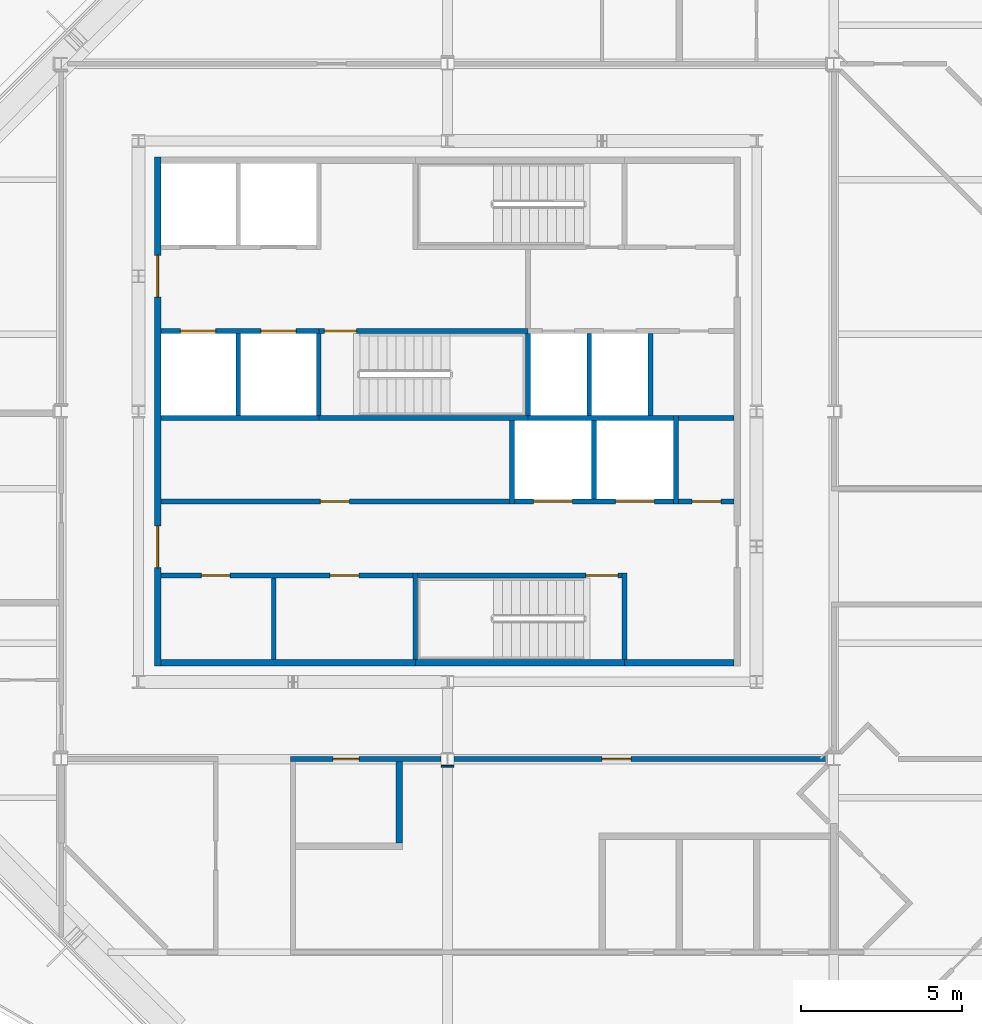
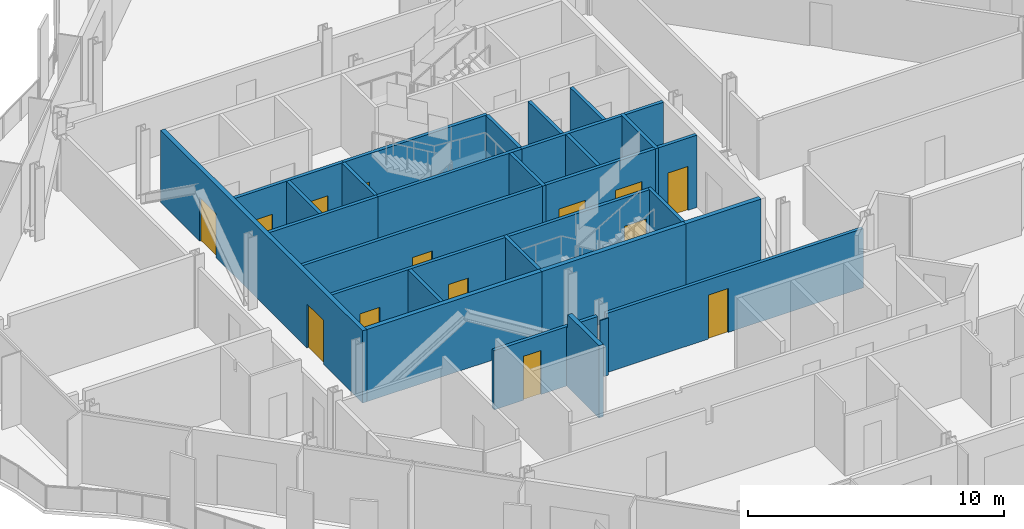
# One storey, part 8 of 17: 30 walls, 14 doors, 14 openings.
"""IFC4 building model written with IfcOpenShell, lengths in metres."""

from ifc_helpers import new_model, si_unit, direction, frame, frame_2d, origin, place, context, subcontext, project, spatial, polyline, rectangle, outline, extrude, material, layer, layer_set, type_object, element, fill, save


model = new_model("IFC4")

# Units and contexts
model_context = context("Model", 3, precision=1e-05, world=origin(), true_north=direction((0.0, 1.0)))
body_context = subcontext(model_context, "Body", "Model", "MODEL_VIEW")
ifc_project = project(units=[si_unit("LENGTHUNIT", "METRE"), si_unit("AREAUNIT", "SQUARE_METRE"), si_unit("VOLUMEUNIT", "CUBIC_METRE"), si_unit("PLANEANGLEUNIT", "RADIAN"), si_unit("MASSUNIT", "GRAM", prefix="KILO")], contexts=[model_context])

# Site, building, storey
site_placement = place(None, origin())
site = spatial("IfcSite", under=ifc_project, at=site_placement, CompositionType="ELEMENT")
building_placement = place(site_placement, origin())
building = spatial("IfcBuilding", under=site, at=building_placement, Name="Cairn Pilgrim Tower", CompositionType="ELEMENT")
storey_placement = place(building_placement, frame((0.0, 0.0, 217.800048828125)))
storey = spatial("IfcBuildingStorey", under=building, at=storey_placement, Name="L55", CompositionType="ELEMENT", Elevation=217.800048828125)

# Walls
ifc_material_1 = material(Name="Concrete C32/40", Category="concrete")
ifc_layer_1 = layer(ifc_material_1, 0.199951171875)
ifc_layer_set_1 = layer_set([ifc_layer_1], Name="CORE OUTER WALL 200 EI 120")
wall_type_1 = type_object("IfcWallType", Name="CORE OUTER WALL 200 EI 120", PredefinedType="SOLIDWALL", material=ifc_layer_set_1)
wall_1_placement = place(storey_placement, frame((-1.699951171875, -5.39990234375, 0.0), z_axis=(0.0, 0.0, 1.0), x_axis=(1.0, 0.0, 0.0)))
element("IfcWall", 1, at=wall_1_placement, inside=storey, type_object=wall_type_1, Name="CW:L55:H01-1", PredefinedType="SOLIDWALL", context=body_context, shape_type="SweptSolid", body=[
    extrude(rectangle(XDim=7.89990234375, YDim=0.199951171875, at=frame_2d((3.949951171875, 0.0))), origin(), (0.0, 0.0, 1.0), 3.449951171875),
])
wall_2_placement = place(storey_placement, frame((12.699951171875, -5.39990234375, 0.0), z_axis=(0.0, 0.0, 1.0), x_axis=(1.0, 0.0, 0.0)))
element("IfcWall", 2, at=wall_2_placement, inside=storey, type_object=wall_type_1, Name="CW:L55:H01-3", PredefinedType="SOLIDWALL", context=body_context, shape_type="SweptSolid", body=[
    extrude(rectangle(XDim=3.400146484375, YDim=0.199951171875, at=frame_2d((1.7001953125, 0.0))), origin(), (0.0, 0.0, 1.0), 3.449951171875),
])

# Wall, openings, doors
wall_3_placement = place(storey_placement, frame((-1.800048828125, -5.5, 0.0), z_axis=(0.0, 0.0, 1.0), x_axis=(0.0, 1.0, 0.0)))
wall_3 = element("IfcWall", 3, at=wall_3_placement, inside=storey, type_object=wall_type_1, Name="CW:L55:V13", PredefinedType="SOLIDWALL", context=body_context, shape_type="SweptSolid", body=[
    extrude(rectangle(XDim=15.800048828125, YDim=0.199951171875, at=frame_2d((7.89990234375, 0.0))), origin(), (0.0, 0.0, 1.0), 3.449951171875),
])
opening_1_placement = place(wall_3_placement, frame((3.050048828125, 0.0, 0.0)))
opening_1 = element("IfcOpeningElement", 4, at=opening_1_placement, cuts=wall_3, Name="Opening CD-W1", PredefinedType="OPENING", context=body_context, shape_type="SweptSolid", body=[
    extrude(rectangle(XDim=1.300048828125, YDim=2.10009765625, at=frame_2d((0.64990234375, 1.050048828125))), frame((0.0, 0.10986328125, 0.0), z_axis=(0.0, -1.0, 0.0), x_axis=(1.0, 0.0, 0.0)), (0.0, 0.0, 1.0), 0.219970703125),
])
opening_2_placement = place(wall_3_placement, frame((11.449951171875, 0.0, 0.0)))
opening_2 = element("IfcOpeningElement", 5, at=opening_2_placement, cuts=wall_3, Name="Opening CD-W2", PredefinedType="OPENING", context=body_context, shape_type="SweptSolid", body=[
    extrude(rectangle(XDim=1.300048828125, YDim=2.10009765625, at=frame_2d((0.64990234375, 1.050048828125))), frame((0.0, 0.10986328125, 0.0), z_axis=(0.0, -1.0, 0.0), x_axis=(1.0, 0.0, 0.0)), (0.0, 0.0, 1.0), 0.219970703125),
])
ifc_material_2 = material(Name="Painted steel", Category="steel")
door_type_1 = type_object("IfcDoorType", Name="CORE LOBBY DOOR 1300x2100", OperationType="DOUBLE_DOOR_SINGLE_SWING", PredefinedType="DOOR", material=ifc_material_2)
door_1_placement = place(opening_1_placement, origin())
door_1 = element("IfcDoor", 6, at=door_1_placement, inside=storey, type_object=door_type_1, Name="CD-W1", OperationType="DOUBLE_DOOR_SINGLE_SWING", OverallHeight=2.10009765625, OverallWidth=1.300048828125, PredefinedType="DOOR", context=body_context, shape_type="SweptSolid", body=[
    extrude(rectangle(XDim=1.300048828125, YDim=2.10009765625, at=frame_2d((0.64990234375, 1.050048828125))), frame((0.0, 0.02490234375, 0.0), z_axis=(0.0, -1.0, 0.0), x_axis=(1.0, 0.0, 0.0)), (0.0, 0.0, 1.0), 0.050048828125),
])
fill(opening_1, door_1)
door_2_placement = place(opening_2_placement, origin())
door_2 = element("IfcDoor", 7, at=door_2_placement, inside=storey, type_object=door_type_1, Name="CD-W2", OperationType="DOUBLE_DOOR_SINGLE_SWING", OverallHeight=2.10009765625, OverallWidth=1.300048828125, PredefinedType="DOOR", context=body_context, shape_type="SweptSolid", body=[
    extrude(rectangle(XDim=1.300048828125, YDim=2.10009765625, at=frame_2d((0.64990234375, 1.050048828125))), frame((0.0, 0.02490234375, 0.0), z_axis=(0.0, -1.0, 0.0), x_axis=(1.0, 0.0, 0.0)), (0.0, 0.0, 1.0), 0.050048828125),
])
fill(opening_2, door_2)

ifc_layer_2 = layer(ifc_material_1, 0.14990234375)
ifc_layer_set_2 = layer_set([ifc_layer_2], Name="CORE PARTITION 150 EI 60")
wall_type_2 = type_object("IfcWallType", Name="CORE PARTITION 150 EI 60", PredefinedType="PARTITIONING", material=ifc_layer_set_2)
wall_4_placement = place(storey_placement, frame((-1.699951171875, -2.699951171875, 0.0), z_axis=(0.0, 0.0, 1.0), x_axis=(1.0, 0.0, 0.0)))
wall_4 = element("IfcWall", 8, at=wall_4_placement, inside=storey, type_object=wall_type_2, Name="CW:L55:H02", PredefinedType="PARTITIONING", context=body_context, shape_type="SweptSolid", body=[
    extrude(rectangle(XDim=7.824951171875, YDim=0.14990234375, at=frame_2d((3.91259765625, 0.0))), origin(), (0.0, 0.0, 1.0), 3.449951171875),
])
opening_3_placement = place(wall_4_placement, frame((1.25, 0.0, 0.0)))
opening_3 = element("IfcOpeningElement", 9, at=opening_3_placement, cuts=wall_4, Name="Opening RD-R1W1", PredefinedType="OPENING", context=body_context, shape_type="SweptSolid", body=[
    extrude(rectangle(XDim=0.89990234375, YDim=2.10009765625, at=frame_2d((0.449951171875, 1.050048828125))), frame((0.0, 0.0849609375, 0.0), z_axis=(0.0, -1.0, 0.0), x_axis=(1.0, 0.0, 0.0)), (0.0, 0.0, 1.0), 0.169921875),
])
opening_4_placement = place(wall_4_placement, frame((5.25, 0.0, 0.0)))
opening_4 = element("IfcOpeningElement", 10, at=opening_4_placement, cuts=wall_4, Name="Opening RD-R1W2", PredefinedType="OPENING", context=body_context, shape_type="SweptSolid", body=[
    extrude(rectangle(XDim=0.89990234375, YDim=2.10009765625, at=frame_2d((0.449951171875, 1.050048828125))), frame((0.0, 0.0849609375, 0.0), z_axis=(0.0, -1.0, 0.0), x_axis=(1.0, 0.0, 0.0)), (0.0, 0.0, 1.0), 0.169921875),
])
door_type_2 = type_object("IfcDoorType", Name="SERVICE ROOM DOOR 900x2100", OperationType="SINGLE_SWING_LEFT", PredefinedType="DOOR", material=ifc_material_2)
door_3_placement = place(opening_3_placement, origin())
door_3 = element("IfcDoor", 11, at=door_3_placement, inside=storey, type_object=door_type_2, Name="RD-R1W1", OperationType="SINGLE_SWING_RIGHT", OverallHeight=2.10009765625, OverallWidth=0.89990234375, PredefinedType="DOOR", context=body_context, shape_type="SweptSolid", body=[
    extrude(rectangle(XDim=0.89990234375, YDim=2.10009765625, at=frame_2d((0.449951171875, 1.050048828125))), frame((0.0, 0.02490234375, 0.0), z_axis=(0.0, -1.0, 0.0), x_axis=(1.0, 0.0, 0.0)), (0.0, 0.0, 1.0), 0.050048828125),
])
fill(opening_3, door_3)
door_4_placement = place(opening_4_placement, origin())
door_4 = element("IfcDoor", 12, at=door_4_placement, inside=storey, type_object=door_type_2, Name="RD-R1W2", OperationType="SINGLE_SWING_LEFT", OverallHeight=2.10009765625, OverallWidth=0.89990234375, PredefinedType="DOOR", context=body_context, shape_type="SweptSolid", body=[
    extrude(rectangle(XDim=0.89990234375, YDim=2.10009765625, at=frame_2d((0.449951171875, 1.050048828125))), frame((0.0, 0.02490234375, 0.0), z_axis=(0.0, -1.0, 0.0), x_axis=(1.0, 0.0, 0.0)), (0.0, 0.0, 1.0), 0.050048828125),
])
fill(opening_4, door_4)

# Wall, opening, door
wall_5_placement = place(storey_placement, frame((-1.699951171875, -0.39990234375, 0.0), z_axis=(0.0, 0.0, 1.0), x_axis=(1.0, 0.0, 0.0)))
wall_5 = element("IfcWall", 13, at=wall_5_placement, inside=storey, type_object=wall_type_2, Name="CW:L55:H04", PredefinedType="PARTITIONING", context=body_context, shape_type="SweptSolid", body=[
    extrude(rectangle(XDim=10.824951171875, YDim=0.14990234375, at=frame_2d((5.41259765625, 0.0))), origin(), (0.0, 0.0, 1.0), 3.449951171875),
])
opening_5_placement = place(wall_5_placement, frame((4.949951171875, 0.0, 0.0)))
opening_5 = element("IfcOpeningElement", 14, at=opening_5_placement, cuts=wall_5, Name="Opening RD-R2W1", PredefinedType="OPENING", context=body_context, shape_type="SweptSolid", body=[
    extrude(rectangle(XDim=0.89990234375, YDim=2.10009765625, at=frame_2d((0.449951171875, 1.050048828125))), frame((0.0, 0.0849609375, 0.0), z_axis=(0.0, -1.0, 0.0), x_axis=(1.0, 0.0, 0.0)), (0.0, 0.0, 1.0), 0.169921875),
])
door_5_placement = place(opening_5_placement, origin())
door_5 = element("IfcDoor", 15, at=door_5_placement, inside=storey, type_object=door_type_2, Name="RD-R2W1", OperationType="SINGLE_SWING_RIGHT", OverallHeight=2.10009765625, OverallWidth=0.89990234375, PredefinedType="DOOR", context=body_context, shape_type="SweptSolid", body=[
    extrude(rectangle(XDim=0.89990234375, YDim=2.10009765625, at=frame_2d((0.449951171875, 1.050048828125))), frame((0.0, 0.02490234375, 0.0), z_axis=(0.0, -1.0, 0.0), x_axis=(1.0, 0.0, 0.0)), (0.0, 0.0, 1.0), 0.050048828125),
])
fill(opening_5, door_5)

wall_6_placement = place(storey_placement, frame((14.375, -0.39990234375, 0.0), z_axis=(0.0, 0.0, 1.0), x_axis=(1.0, 0.0, 0.0)))
wall_6 = element("IfcWall", 16, at=wall_6_placement, inside=storey, type_object=wall_type_2, Name="CW:L55:H06", PredefinedType="PARTITIONING", context=body_context, shape_type="SweptSolid", body=[
    extrude(rectangle(XDim=1.72509765625, YDim=0.14990234375, at=frame_2d((0.862548828125, 0.0))), origin(), (0.0, 0.0, 1.0), 3.449951171875),
])
opening_6_placement = place(wall_6_placement, frame((0.425048828125, 0.0, 0.0)))
opening_6 = element("IfcOpeningElement", 17, at=opening_6_placement, cuts=wall_6, Name="Opening RD-R2E", PredefinedType="OPENING", context=body_context, shape_type="SweptSolid", body=[
    extrude(rectangle(XDim=0.89990234375, YDim=2.10009765625, at=frame_2d((0.449951171875, 1.050048828125))), frame((0.0, 0.0849609375, 0.0), z_axis=(0.0, -1.0, 0.0), x_axis=(1.0, 0.0, 0.0)), (0.0, 0.0, 1.0), 0.169921875),
])
door_6_placement = place(opening_6_placement, origin())
door_6 = element("IfcDoor", 18, at=door_6_placement, inside=storey, type_object=door_type_2, Name="RD-R2E", OperationType="SINGLE_SWING_LEFT", OverallHeight=2.10009765625, OverallWidth=0.89990234375, PredefinedType="DOOR", context=body_context, shape_type="SweptSolid", body=[
    extrude(rectangle(XDim=0.89990234375, YDim=2.10009765625, at=frame_2d((0.449951171875, 1.050048828125))), frame((0.0, 0.02490234375, 0.0), z_axis=(0.0, -1.0, 0.0), x_axis=(1.0, 0.0, 0.0)), (0.0, 0.0, 1.0), 0.050048828125),
])
fill(opening_6, door_6)

# Walls
wall_7_placement = place(storey_placement, frame((14.375, 2.199951171875, 0.0), z_axis=(0.0, 0.0, 1.0), x_axis=(1.0, 0.0, 0.0)))
element("IfcWall", 19, at=wall_7_placement, inside=storey, type_object=wall_type_2, Name="CW:L55:H08", PredefinedType="PARTITIONING", context=body_context, shape_type="SweptSolid", body=[
    extrude(rectangle(XDim=1.72509765625, YDim=0.14990234375, at=frame_2d((0.862548828125, 0.0))), origin(), (0.0, 0.0, 1.0), 3.449951171875),
])
wall_8_placement = place(storey_placement, frame((1.800048828125, -5.300048828125, 0.0), z_axis=(0.0, 0.0, 1.0), x_axis=(0.0, 1.0, 0.0)))
element("IfcWall", 20, at=wall_8_placement, inside=storey, type_object=wall_type_2, Name="CW:L55:V16", PredefinedType="PARTITIONING", context=body_context, shape_type="SweptSolid", body=[
    extrude(rectangle(XDim=2.525146484375, YDim=0.14990234375, at=frame_2d((1.2626953125, 0.0))), origin(), (0.0, 0.0, 1.0), 3.449951171875),
])

# Wall, openings, doors
ifc_layer_3 = layer(ifc_material_1, 0.14990234375)
ifc_layer_set_3 = layer_set([ifc_layer_3], Name="CORE SHAFT WALL 150 EI 120")
wall_type_3 = type_object("IfcWallType", Name="CORE SHAFT WALL 150 EI 120", PredefinedType="SOLIDWALL", material=ifc_layer_set_3)
wall_9_placement = place(storey_placement, frame((9.27490234375, -0.39990234375, 0.0), z_axis=(0.0, 0.0, 1.0), x_axis=(1.0, 0.0, 0.0)))
wall_9 = element("IfcWall", 21, at=wall_9_placement, inside=storey, type_object=wall_type_3, Name="CW:L55:H05", PredefinedType="SOLIDWALL", context=body_context, shape_type="SweptSolid", body=[
    extrude(rectangle(XDim=4.9501953125, YDim=0.14990234375, at=frame_2d((2.47509765625, 0.0))), origin(), (0.0, 0.0, 1.0), 3.449951171875),
])
opening_7_placement = place(wall_9_placement, frame((0.60009765625, 0.0, 0.0)))
opening_7 = element("IfcOpeningElement", 22, at=opening_7_placement, cuts=wall_9, Name="Opening LD-SV1", PredefinedType="OPENING", context=body_context, shape_type="SweptSolid", body=[
    extrude(rectangle(XDim=1.199951171875, YDim=2.10009765625, at=frame_2d((0.60009765625, 1.050048828125))), frame((0.0, 0.0849609375, 0.0), z_axis=(0.0, -1.0, 0.0), x_axis=(1.0, 0.0, 0.0)), (0.0, 0.0, 1.0), 0.169921875),
])
opening_8_placement = place(wall_9_placement, frame((3.14990234375, 0.0, 0.0)))
opening_8 = element("IfcOpeningElement", 23, at=opening_8_placement, cuts=wall_9, Name="Opening LD-SV2", PredefinedType="OPENING", context=body_context, shape_type="SweptSolid", body=[
    extrude(rectangle(XDim=1.199951171875, YDim=2.10009765625, at=frame_2d((0.60009765625, 1.050048828125))), frame((0.0, 0.0849609375, 0.0), z_axis=(0.0, -1.0, 0.0), x_axis=(1.0, 0.0, 0.0)), (0.0, 0.0, 1.0), 0.169921875),
])
ifc_material_3 = material(Name="Stainless steel", Category="steel")
door_type_3 = type_object("IfcDoorType", Name="LIFT LANDING DOOR 1200x2100", OperationType="DOUBLE_DOOR_SLIDING", PredefinedType="DOOR", material=ifc_material_3)
door_7_placement = place(opening_7_placement, origin())
door_7 = element("IfcDoor", 24, at=door_7_placement, inside=storey, type_object=door_type_3, Name="LANDING DOOR SV1", OperationType="DOUBLE_DOOR_SLIDING", OverallHeight=2.10009765625, OverallWidth=1.199951171875, PredefinedType="DOOR", context=body_context, shape_type="SweptSolid", body=[
    extrude(rectangle(XDim=1.199951171875, YDim=2.10009765625, at=frame_2d((0.60009765625, 1.050048828125))), frame((0.0, 0.02490234375, 0.0), z_axis=(0.0, -1.0, 0.0), x_axis=(1.0, 0.0, 0.0)), (0.0, 0.0, 1.0), 0.050048828125),
])
fill(opening_7, door_7)
door_8_placement = place(opening_8_placement, origin())
door_8 = element("IfcDoor", 25, at=door_8_placement, inside=storey, type_object=door_type_3, Name="LANDING DOOR SV2", OperationType="DOUBLE_DOOR_SLIDING", OverallHeight=2.10009765625, OverallWidth=1.199951171875, PredefinedType="DOOR", context=body_context, shape_type="SweptSolid", body=[
    extrude(rectangle(XDim=1.199951171875, YDim=2.10009765625, at=frame_2d((0.60009765625, 1.050048828125))), frame((0.0, 0.02490234375, 0.0), z_axis=(0.0, -1.0, 0.0), x_axis=(1.0, 0.0, 0.0)), (0.0, 0.0, 1.0), 0.050048828125),
])
fill(opening_8, door_8)

# Walls
wall_10_placement = place(storey_placement, frame((-1.699951171875, 2.199951171875, 0.0), z_axis=(0.0, 0.0, 1.0), x_axis=(1.0, 0.0, 0.0)))
element("IfcWall", 26, at=wall_10_placement, inside=storey, type_object=wall_type_3, Name="CW:L55:H07-1", PredefinedType="SOLIDWALL", context=body_context, shape_type="SweptSolid", body=[
    extrude(rectangle(XDim=4.89990234375, YDim=0.14990234375, at=frame_2d((2.449951171875, 0.0))), origin(), (0.0, 0.0, 1.0), 3.449951171875),
])
wall_11_placement = place(storey_placement, frame((9.699951171875, 2.199951171875, 0.0), z_axis=(0.0, 0.0, 1.0), x_axis=(1.0, 0.0, 0.0)))
element("IfcWall", 27, at=wall_11_placement, inside=storey, type_object=wall_type_3, Name="CW:L55:H07-3", PredefinedType="SOLIDWALL", context=body_context, shape_type="SweptSolid", body=[
    extrude(rectangle(XDim=4.525146484375, YDim=0.14990234375, at=frame_2d((2.2626953125, 0.0))), origin(), (0.0, 0.0, 1.0), 3.449951171875),
])

# Wall, openings, doors
wall_12_placement = place(storey_placement, frame((-1.699951171875, 4.89990234375, 0.0), z_axis=(0.0, 0.0, 1.0), x_axis=(1.0, 0.0, 0.0)))
wall_12 = element("IfcWall", 28, at=wall_12_placement, inside=storey, type_object=wall_type_3, Name="CW:L55:H09-1", PredefinedType="SOLIDWALL", context=body_context, shape_type="SweptSolid", body=[
    extrude(rectangle(XDim=4.89990234375, YDim=0.14990234375, at=frame_2d((2.449951171875, 0.0))), origin(), (0.0, 0.0, 1.0), 3.449951171875),
])
opening_9_placement = place(wall_12_placement, frame((0.60009765625, 0.0, 0.0)))
opening_9 = element("IfcOpeningElement", 29, at=opening_9_placement, cuts=wall_12, Name="Opening LD-HR1", PredefinedType="OPENING", context=body_context, shape_type="SweptSolid", body=[
    extrude(rectangle(XDim=1.10009765625, YDim=2.10009765625, at=frame_2d((0.550048828125, 1.050048828125))), frame((0.0, 0.0849609375, 0.0), z_axis=(0.0, -1.0, 0.0), x_axis=(1.0, 0.0, 0.0)), (0.0, 0.0, 1.0), 0.169921875),
])
opening_10_placement = place(wall_12_placement, frame((3.10009765625, 0.0, 0.0)))
opening_10 = element("IfcOpeningElement", 30, at=opening_10_placement, cuts=wall_12, Name="Opening LD-HR2", PredefinedType="OPENING", context=body_context, shape_type="SweptSolid", body=[
    extrude(rectangle(XDim=1.10009765625, YDim=2.10009765625, at=frame_2d((0.550048828125, 1.050048828125))), frame((0.0, 0.0849609375, 0.0), z_axis=(0.0, -1.0, 0.0), x_axis=(1.0, 0.0, 0.0)), (0.0, 0.0, 1.0), 0.169921875),
])
door_type_4 = type_object("IfcDoorType", Name="LIFT LANDING DOOR 1100x2100", OperationType="DOUBLE_DOOR_SLIDING", PredefinedType="DOOR", material=ifc_material_3)
door_9_placement = place(opening_9_placement, origin())
door_9 = element("IfcDoor", 31, at=door_9_placement, inside=storey, type_object=door_type_4, Name="LANDING DOOR HR1", OperationType="DOUBLE_DOOR_SLIDING", OverallHeight=2.10009765625, OverallWidth=1.10009765625, PredefinedType="DOOR", context=body_context, shape_type="SweptSolid", body=[
    extrude(rectangle(XDim=1.10009765625, YDim=2.10009765625, at=frame_2d((0.550048828125, 1.050048828125))), frame((0.0, 0.02490234375, 0.0), z_axis=(0.0, -1.0, 0.0), x_axis=(1.0, 0.0, 0.0)), (0.0, 0.0, 1.0), 0.050048828125),
])
fill(opening_9, door_9)
door_10_placement = place(opening_10_placement, origin())
door_10 = element("IfcDoor", 32, at=door_10_placement, inside=storey, type_object=door_type_4, Name="LANDING DOOR HR2", OperationType="DOUBLE_DOOR_SLIDING", OverallHeight=2.10009765625, OverallWidth=1.10009765625, PredefinedType="DOOR", context=body_context, shape_type="SweptSolid", body=[
    extrude(rectangle(XDim=1.10009765625, YDim=2.10009765625, at=frame_2d((0.550048828125, 1.050048828125))), frame((0.0, 0.02490234375, 0.0), z_axis=(0.0, -1.0, 0.0), x_axis=(1.0, 0.0, 0.0)), (0.0, 0.0, 1.0), 0.050048828125),
])
fill(opening_10, door_10)

# Walls
wall_13_placement = place(storey_placement, frame((0.699951171875, 2.27490234375, 0.0), z_axis=(0.0, 0.0, 1.0), x_axis=(0.0, 1.0, 0.0)))
element("IfcWall", 33, at=wall_13_placement, inside=storey, type_object=wall_type_3, Name="CW:L55:V14", PredefinedType="SOLIDWALL", context=body_context, shape_type="SweptSolid", body=[
    extrude(rectangle(XDim=2.550048828125, YDim=0.14990234375, at=frame_2d((1.27490234375, 0.0))), origin(), (0.0, 0.0, 1.0), 3.449951171875),
])
wall_14_placement = place(storey_placement, frame((9.199951171875, -0.47509765625, 0.0), z_axis=(0.0, 0.0, 1.0), x_axis=(0.0, 1.0, 0.0)))
element("IfcWall", 34, at=wall_14_placement, inside=storey, type_object=wall_type_3, Name="CW:L55:V21", PredefinedType="SOLIDWALL", context=body_context, shape_type="SweptSolid", body=[
    extrude(rectangle(XDim=2.60009765625, YDim=0.14990234375, at=frame_2d((1.300048828125, 0.0))), origin(), (0.0, 0.0, 1.0), 3.449951171875),
])
wall_15_placement = place(storey_placement, frame((11.60009765625, 2.27490234375, 0.0), z_axis=(0.0, 0.0, 1.0), x_axis=(0.0, 1.0, 0.0)))
element("IfcWall", 35, at=wall_15_placement, inside=storey, type_object=wall_type_3, Name="CW:L55:V24", PredefinedType="SOLIDWALL", context=body_context, shape_type="SweptSolid", body=[
    extrude(rectangle(XDim=2.550048828125, YDim=0.14990234375, at=frame_2d((1.27490234375, 0.0))), origin(), (0.0, 0.0, 1.0), 3.449951171875),
])
wall_16_placement = place(storey_placement, frame((11.75, -0.324951171875, 0.0), z_axis=(0.0, 0.0, 1.0), x_axis=(0.0, 1.0, 0.0)))
element("IfcWall", 36, at=wall_16_placement, inside=storey, type_object=wall_type_3, Name="CW:L55:V25", PredefinedType="SOLIDWALL", context=body_context, shape_type="SweptSolid", body=[
    extrude(rectangle(XDim=2.449951171875, YDim=0.14990234375, at=frame_2d((1.22509765625, 0.0))), origin(), (0.0, 0.0, 1.0), 3.449951171875),
])
wall_17_placement = place(storey_placement, frame((13.5, 2.27490234375, 0.0), z_axis=(0.0, 0.0, 1.0), x_axis=(0.0, 1.0, 0.0)))
element("IfcWall", 37, at=wall_17_placement, inside=storey, type_object=wall_type_3, Name="CW:L55:V28", PredefinedType="SOLIDWALL", context=body_context, shape_type="SweptSolid", body=[
    extrude(rectangle(XDim=2.550048828125, YDim=0.14990234375, at=frame_2d((1.27490234375, 0.0))), origin(), (0.0, 0.0, 1.0), 3.449951171875),
])
wall_18_placement = place(storey_placement, frame((14.300048828125, -0.47509765625, 0.0), z_axis=(0.0, 0.0, 1.0), x_axis=(0.0, 1.0, 0.0)))
element("IfcWall", 38, at=wall_18_placement, inside=storey, type_object=wall_type_3, Name="CW:L55:V29", PredefinedType="SOLIDWALL", context=body_context, shape_type="SweptSolid", body=[
    extrude(rectangle(XDim=2.75, YDim=0.14990234375, at=frame_2d((1.375, 0.0))), origin(), (0.0, 0.0, 1.0), 3.449951171875),
])

# Wall, opening, door
ifc_material_4 = material(Name="Gypsum partition")
ifc_layer_4 = layer(ifc_material_4, 0.14990234375)
ifc_layer_set_4 = layer_set([ifc_layer_4], Name="PARTITION 150 DRYWALL EI 60")
wall_type_4 = type_object("IfcWallType", Name="PARTITION 150 DRYWALL EI 60", PredefinedType="PARTITIONING", material=ifc_layer_set_4)
wall_19_placement = place(storey_placement, frame((2.324951171875, -8.39990234375, 0.0), z_axis=(0.0, 0.0, 1.0), x_axis=(1.0, 0.0, 0.0)))
wall_19 = element("IfcWall", 39, at=wall_19_placement, inside=storey, type_object=wall_type_4, Name="PARTITION W036", PredefinedType="PARTITIONING", context=body_context, shape_type="SweptSolid", body=[
    extrude(rectangle(XDim=4.675537109375, YDim=0.14990234375, at=frame_2d((2.337890625, 0.0))), origin(), (0.0, 0.0, 1.0), 2.829833984375),
])
opening_11_placement = place(wall_19_placement, frame((1.324951171875, 0.0, 0.0)))
opening_11 = element("IfcOpeningElement", 40, at=opening_11_placement, cuts=wall_19, Name="Opening 5513", PredefinedType="OPENING", context=body_context, shape_type="SweptSolid", body=[
    extrude(rectangle(XDim=0.800048828125, YDim=2.10009765625, at=frame_2d((0.39990234375, 1.050048828125))), frame((0.0, 0.0849609375, 0.0), z_axis=(0.0, -1.0, 0.0), x_axis=(1.0, 0.0, 0.0)), (0.0, 0.0, 1.0), 0.169921875),
])
ifc_material_5 = material(Name="Timber door leaf", Category="wood")
door_type_5 = type_object("IfcDoorType", Name="WC DOOR 800x2100 FD30S", OperationType="NOTDEFINED", PredefinedType="DOOR", material=ifc_material_5)
door_11_placement = place(opening_11_placement, frame((0.800048828125, 0.0, 0.0), z_axis=(0.0, 0.0, 1.0), x_axis=(-1.0, 0.0, 0.0)))
door_11 = element("IfcDoor", 41, at=door_11_placement, inside=storey, type_object=door_type_5, Name="DOOR 5513", OperationType="SINGLE_SWING_RIGHT", OverallHeight=2.10009765625, OverallWidth=0.800048828125, PredefinedType="DOOR", context=body_context, shape_type="SweptSolid", body=[
    extrude(rectangle(XDim=0.800048828125, YDim=2.10009765625, at=frame_2d((0.39990234375, 1.050048828125))), frame((0.0, 0.02490234375, 0.0), z_axis=(0.0, -1.0, 0.0), x_axis=(1.0, 0.0, 0.0)), (0.0, 0.0, 1.0), 0.050048828125),
])
fill(opening_11, door_11)

wall_20_placement = place(storey_placement, frame((7.3994140625, -8.39990234375, 0.0), z_axis=(0.0, 0.0, 1.0), x_axis=(1.0, 0.0, 0.0)))
wall_20 = element("IfcWall", 42, at=wall_20_placement, inside=storey, type_object=wall_type_4, Name="PARTITION W037", PredefinedType="PARTITIONING", context=body_context, shape_type="SweptSolid", body=[
    extrude(rectangle(XDim=11.60107421875, YDim=0.14990234375, at=frame_2d((5.800537109375, 0.0))), origin(), (0.0, 0.0, 1.0), 2.829833984375),
])
opening_12_placement = place(wall_20_placement, frame((4.6005859375, 0.0, 0.0)))
opening_12 = element("IfcOpeningElement", 43, at=opening_12_placement, cuts=wall_20, Name="Opening 5521", PredefinedType="OPENING", context=body_context, shape_type="SweptSolid", body=[
    extrude(rectangle(XDim=0.89990234375, YDim=2.10009765625, at=frame_2d((0.449951171875, 1.050048828125))), frame((0.0, 0.0849609375, 0.0), z_axis=(0.0, -1.0, 0.0), x_axis=(1.0, 0.0, 0.0)), (0.0, 0.0, 1.0), 0.169921875),
])
door_type_6 = type_object("IfcDoorType", Name="SERVICE DOOR 900x2100 FD30S", OperationType="NOTDEFINED", PredefinedType="DOOR", material=ifc_material_5)
door_12_placement = place(opening_12_placement, frame((0.89990234375, 0.0, 0.0), z_axis=(0.0, 0.0, 1.0), x_axis=(-1.0, 0.0, 0.0)))
door_12 = element("IfcDoor", 44, at=door_12_placement, inside=storey, type_object=door_type_6, Name="DOOR 5521", OperationType="SINGLE_SWING_LEFT", OverallHeight=2.10009765625, OverallWidth=0.89990234375, PredefinedType="DOOR", context=body_context, shape_type="SweptSolid", body=[
    extrude(rectangle(XDim=0.89990234375, YDim=2.10009765625, at=frame_2d((0.449951171875, 1.050048828125))), frame((0.0, 0.02490234375, 0.0), z_axis=(0.0, -1.0, 0.0), x_axis=(1.0, 0.0, 0.0)), (0.0, 0.0, 1.0), 0.050048828125),
])
fill(opening_12, door_12)

# Walls
ifc_layer_5 = layer(ifc_material_4, 0.050048828125)
ifc_layer_set_5 = layer_set([ifc_layer_5], Name="PARTITION 50 DRYWALL EI 60")
wall_type_5 = type_object("IfcWallType", Name="PARTITION 50 DRYWALL EI 60", PredefinedType="PARTITIONING", material=ifc_layer_set_5)
wall_21_placement = place(storey_placement, frame((7.00048828125, -8.62158203125, 0.0), z_axis=(0.0, 0.0, 1.0), x_axis=(1.0, 0.0, 0.0)))
element("IfcWall", 45, at=wall_21_placement, inside=storey, type_object=wall_type_5, Name="COLUMN CASING WC11", PredefinedType="PARTITIONING", context=body_context, shape_type="SweptSolid", body=[
    extrude(rectangle(XDim=0.39892578125, YDim=0.050048828125, at=frame_2d((0.199462890625, 0.0))), origin(), (0.0, 0.0, 1.0), 2.72998046875),
])
ifc_layer_6 = layer(ifc_material_4, 0.199951171875)
ifc_layer_set_6 = layer_set([ifc_layer_6], Name="SHAFT WALL 200 GYPSUM EI 60")
wall_type_6 = type_object("IfcWallType", Name="SHAFT WALL 200 GYPSUM EI 60", PredefinedType="PARTITIONING", material=ifc_layer_set_6)
wall_22_placement = place(storey_placement, frame((5.699951171875, -11.0, 0.0), z_axis=(0.0, 0.0, 1.0), x_axis=(0.0, 1.0, 0.0)))
element("IfcWall", 46, at=wall_22_placement, inside=storey, type_object=wall_type_6, Name="PARTITION W029", PredefinedType="PARTITIONING", context=body_context, shape_type="SweptSolid", body=[
    extrude(outline(polyline([(0.0, 0.0), (2.52490234375, 0.0), (2.52490234375, 2.829833984375), (2.449951171875, 2.829833984375), (2.447998046875, 3.449951171875), (0.0, 3.449951171875), (0.0, 0.0)])), frame((0.0, 0.10009765625, 0.0), z_axis=(0.0, -1.0, 0.0), x_axis=(1.0, 0.0, 0.0)), (0.0, 0.0, 1.0), 0.199951171875),
])

# Wall, opening, door
ifc_material_6 = material(Name="Concrete C35/45", Category="concrete")
ifc_layer_7 = layer(ifc_material_6, 0.14990234375)
ifc_layer_set_7 = layer_set([ifc_layer_7], Name="STAIR SHAFT WALL 150 EI 120")
wall_type_7 = type_object("IfcWallType", Name="STAIR SHAFT WALL 150 EI 120", PredefinedType="SOLIDWALL", material=ifc_layer_set_7)
wall_23_placement = place(storey_placement, frame((6.27490234375, -2.699951171875, 0.0), z_axis=(0.0, 0.0, 1.0), x_axis=(1.0, 0.0, 0.0)))
wall_23 = element("IfcWall", 47, at=wall_23_placement, inside=storey, type_object=wall_type_7, Name="CW:L55:H03", PredefinedType="SOLIDWALL", context=body_context, shape_type="SweptSolid", body=[
    extrude(rectangle(XDim=6.35009765625, YDim=0.14990234375, at=frame_2d((3.175048828125, 0.0))), origin(), (0.0, 0.0, 1.0), 3.449951171875),
])
opening_13_placement = place(wall_23_placement, frame((5.22509765625, 0.0, 0.0)))
opening_13 = element("IfcOpeningElement", 48, at=opening_13_placement, cuts=wall_23, Name="Opening SD-A", PredefinedType="OPENING", context=body_context, shape_type="SweptSolid", body=[
    extrude(rectangle(XDim=1.0, YDim=2.10009765625, at=frame_2d((0.5, 1.050048828125))), frame((0.0, 0.0849609375, 0.0), z_axis=(0.0, -1.0, 0.0), x_axis=(1.0, 0.0, 0.0)), (0.0, 0.0, 1.0), 0.169921875),
])
door_type_7 = type_object("IfcDoorType", Name="STAIR DOOR FD60S 1000x2100", OperationType="SINGLE_SWING_LEFT", PredefinedType="DOOR", material=ifc_material_2)
door_13_placement = place(opening_13_placement, origin())
door_13 = element("IfcDoor", 49, at=door_13_placement, inside=storey, type_object=door_type_7, Name="SD-A", OperationType="SINGLE_SWING_RIGHT", OverallHeight=2.10009765625, OverallWidth=1.0, PredefinedType="DOOR", context=body_context, shape_type="SweptSolid", body=[
    extrude(rectangle(XDim=1.0, YDim=2.10009765625, at=frame_2d((0.5, 1.050048828125))), frame((0.0, 0.02490234375, 0.0), z_axis=(0.0, -1.0, 0.0), x_axis=(1.0, 0.0, 0.0)), (0.0, 0.0, 1.0), 0.050048828125),
])
fill(opening_13, door_13)

# Wall
wall_24_placement = place(storey_placement, frame((3.199951171875, 2.199951171875, 0.0), z_axis=(0.0, 0.0, 1.0), x_axis=(1.0, 0.0, 0.0)))
element("IfcWall", 50, at=wall_24_placement, inside=storey, type_object=wall_type_7, Name="CW:L55:H07-2", PredefinedType="SOLIDWALL", context=body_context, shape_type="SweptSolid", body=[
    extrude(rectangle(XDim=6.5, YDim=0.14990234375, at=frame_2d((3.25, 0.0))), origin(), (0.0, 0.0, 1.0), 3.449951171875),
])

# Wall, opening, door
wall_25_placement = place(storey_placement, frame((3.199951171875, 4.89990234375, 0.0), z_axis=(0.0, 0.0, 1.0), x_axis=(1.0, 0.0, 0.0)))
wall_25 = element("IfcWall", 51, at=wall_25_placement, inside=storey, type_object=wall_type_7, Name="CW:L55:H09-2", PredefinedType="SOLIDWALL", context=body_context, shape_type="SweptSolid", body=[
    extrude(rectangle(XDim=6.5, YDim=0.14990234375, at=frame_2d((3.25, 0.0))), origin(), (0.0, 0.0, 1.0), 3.449951171875),
])
opening_14_placement = place(wall_25_placement, frame((0.175048828125, 0.0, 0.0)))
opening_14 = element("IfcOpeningElement", 52, at=opening_14_placement, cuts=wall_25, Name="Opening SD-B", PredefinedType="OPENING", context=body_context, shape_type="SweptSolid", body=[
    extrude(rectangle(XDim=1.0, YDim=2.10009765625, at=frame_2d((0.5, 1.050048828125))), frame((0.0, 0.0849609375, 0.0), z_axis=(0.0, -1.0, 0.0), x_axis=(1.0, 0.0, 0.0)), (0.0, 0.0, 1.0), 0.169921875),
])
door_14_placement = place(opening_14_placement, origin())
door_14 = element("IfcDoor", 53, at=door_14_placement, inside=storey, type_object=door_type_7, Name="SD-B", OperationType="SINGLE_SWING_LEFT", OverallHeight=2.10009765625, OverallWidth=1.0, PredefinedType="DOOR", context=body_context, shape_type="SweptSolid", body=[
    extrude(rectangle(XDim=1.0, YDim=2.10009765625, at=frame_2d((0.5, 1.050048828125))), frame((0.0, 0.02490234375, 0.0), z_axis=(0.0, -1.0, 0.0), x_axis=(1.0, 0.0, 0.0)), (0.0, 0.0, 1.0), 0.050048828125),
])
fill(opening_14, door_14)

# Walls
wall_26_placement = place(storey_placement, frame((3.199951171875, 2.27490234375, 0.0), z_axis=(0.0, 0.0, 1.0), x_axis=(0.0, 1.0, 0.0)))
element("IfcWall", 54, at=wall_26_placement, inside=storey, type_object=wall_type_7, Name="CW:L55:V17", PredefinedType="SOLIDWALL", context=body_context, shape_type="SweptSolid", body=[
    extrude(rectangle(XDim=2.550048828125, YDim=0.14990234375, at=frame_2d((1.27490234375, 0.0))), origin(), (0.0, 0.0, 1.0), 3.449951171875),
])
wall_27_placement = place(storey_placement, frame((6.199951171875, -5.300048828125, 0.0), z_axis=(0.0, 0.0, 1.0), x_axis=(0.0, 1.0, 0.0)))
element("IfcWall", 55, at=wall_27_placement, inside=storey, type_object=wall_type_7, Name="CW:L55:V19", PredefinedType="SOLIDWALL", context=body_context, shape_type="SweptSolid", body=[
    extrude(rectangle(XDim=2.675048828125, YDim=0.14990234375, at=frame_2d((1.33740234375, 0.0))), origin(), (0.0, 0.0, 1.0), 3.449951171875),
])
wall_28_placement = place(storey_placement, frame((9.699951171875, 2.27490234375, 0.0), z_axis=(0.0, 0.0, 1.0), x_axis=(0.0, 1.0, 0.0)))
element("IfcWall", 56, at=wall_28_placement, inside=storey, type_object=wall_type_7, Name="CW:L55:V22", PredefinedType="SOLIDWALL", context=body_context, shape_type="SweptSolid", body=[
    extrude(rectangle(XDim=2.550048828125, YDim=0.14990234375, at=frame_2d((1.27490234375, 0.0))), origin(), (0.0, 0.0, 1.0), 3.449951171875),
])
wall_29_placement = place(storey_placement, frame((12.699951171875, -5.300048828125, 0.0), z_axis=(0.0, 0.0, 1.0), x_axis=(0.0, 1.0, 0.0)))
element("IfcWall", 57, at=wall_29_placement, inside=storey, type_object=wall_type_7, Name="CW:L55:V26", PredefinedType="SOLIDWALL", context=body_context, shape_type="SweptSolid", body=[
    extrude(rectangle(XDim=2.675048828125, YDim=0.14990234375, at=frame_2d((1.33740234375, 0.0))), origin(), (0.0, 0.0, 1.0), 3.449951171875),
])
ifc_layer_8 = layer(ifc_material_6, 0.199951171875)
ifc_layer_set_8 = layer_set([ifc_layer_8], Name="STAIR SHAFT WALL 200 EI 120")
wall_type_8 = type_object("IfcWallType", Name="STAIR SHAFT WALL 200 EI 120", PredefinedType="SOLIDWALL", material=ifc_layer_set_8)
wall_30_placement = place(storey_placement, frame((6.199951171875, -5.39990234375, 0.0), z_axis=(0.0, 0.0, 1.0), x_axis=(1.0, 0.0, 0.0)))
element("IfcWall", 58, at=wall_30_placement, inside=storey, type_object=wall_type_8, Name="CW:L55:H01-2", PredefinedType="SOLIDWALL", context=body_context, shape_type="SweptSolid", body=[
    extrude(rectangle(XDim=6.5, YDim=0.199951171875, at=frame_2d((3.25, 0.0))), origin(), (0.0, 0.0, 1.0), 3.449951171875),
])

save(model, "model.ifc")
